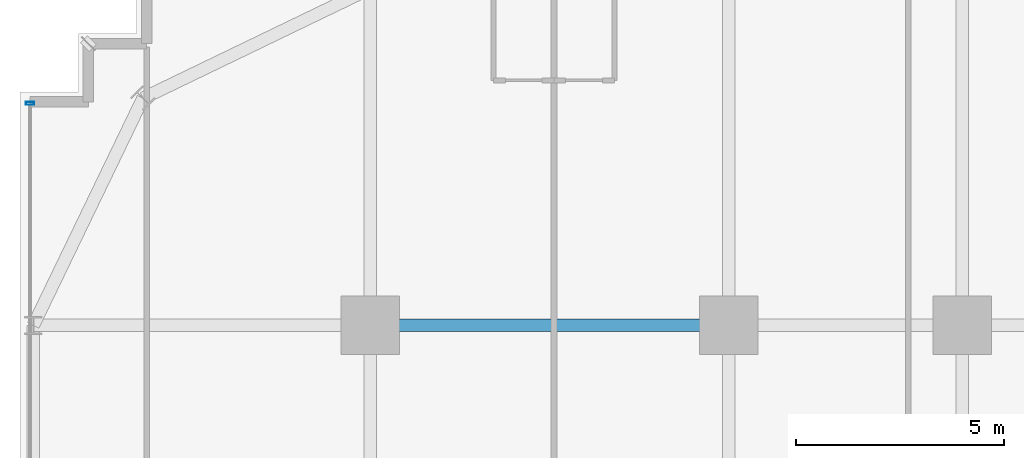
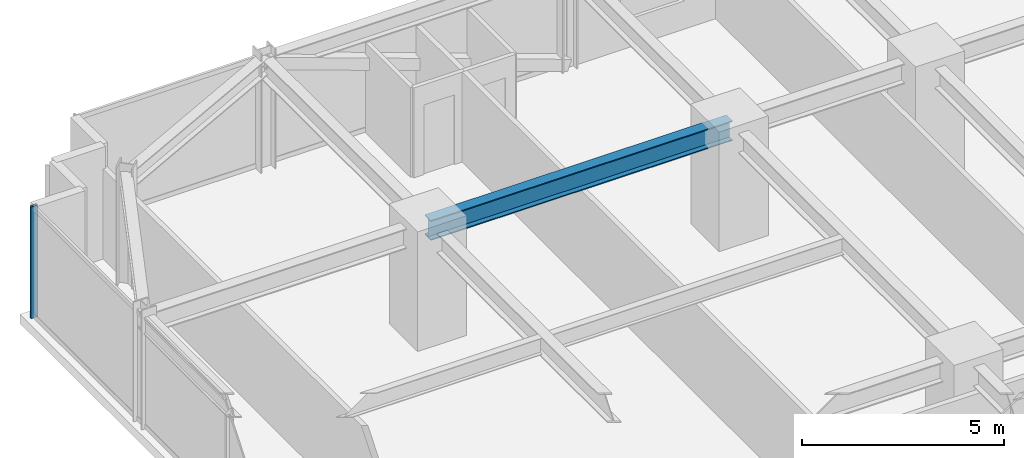
# One storey, part 26 of 47: 1 beam, 1 member, 1 element without a shape of its own.
"""IFC4 building model written with IfcOpenShell, lengths in metres."""

import ifcopenshell
import ifcopenshell.guid

model = None  # the IFC model being written
_history = None  # IfcOwnerHistory: only IFC2X3 demands one
_inside = {}  # id of a spatial element -> (the spatial element, [elements in it])
_under = {}  # id of a project, library or spatial element -> (it, [spatial elements below it])
_declared = {}  # id of a project -> (the project, [libraries it declares])
_typed = {}  # id of a type object -> (the type object, [elements of that type])
_made_of = {}  # id of a material, layer set ... -> (it, [elements and type objects made of it])


def new_model(schema):
    """Start an empty IFC model of exactly this schema.

    Asked for "IFC4X3", IfcOpenShell would pick the latest addendum, in which some entities
    have other attributes; the version numbers below select the first issue.
    IFC2X3 requires an IfcOwnerHistory on every rooted entity: one is made here for all.
    """
    global model, _history
    if schema == "IFC4X3":
        model = ifcopenshell.file(schema_version=(4, 3, 0, 0))
    else:
        model = ifcopenshell.file(schema=schema)
    _inside.clear()
    _under.clear()
    _declared.clear()
    _typed.clear()
    _made_of.clear()
    _history = None
    if model.schema == "IFC2X3":
        org = make("IfcOrganization", Name="unknown")
        user = make(
            "IfcPersonAndOrganization",
            ThePerson=make("IfcPerson", FamilyName="unknown"),
            TheOrganization=org,
        )
        app = make(
            "IfcApplication",
            ApplicationDeveloper=org,
            Version="unknown",
            ApplicationFullName="unknown",
            ApplicationIdentifier="unknown",
        )
        _history = make(
            "IfcOwnerHistory",
            OwningUser=user,
            OwningApplication=app,
            ChangeAction="ADDED",
            CreationDate=0,
        )
    return model


def make(cls, **values):
    """One entity of the class cls with the attributes given. An attribute that is None is left unset."""
    return model.create_entity(
        cls, **{name: value for name, value in values.items() if value is not None}
    )


def rooted(cls, **values):
    """An entity with a GlobalId (a new one), such as an element, a storey or a relation."""
    return make(cls, GlobalId=ifcopenshell.guid.new(), OwnerHistory=_history, **values)


def si_unit(unit_type, name, prefix=None):
    """IfcSIUnit, for example si_unit("LENGTHUNIT", "METRE", prefix="MILLI")."""
    return make("IfcSIUnit", UnitType=unit_type, Prefix=prefix, Name=name)


def assignment(units):
    """IfcUnitAssignment: the units of a project."""
    return None if units is None else make("IfcUnitAssignment", Units=units)


def point(xyz):
    """IfcCartesianPoint."""
    return None if xyz is None else make("IfcCartesianPoint", Coordinates=xyz)


def direction(xyz):
    """IfcDirection."""
    return None if xyz is None else make("IfcDirection", DirectionRatios=xyz)


def frame(location, z_axis=None, x_axis=None):
    """IfcAxis2Placement3D, a coordinate frame: its origin and axes. An axis left out is left unset."""
    return make(
        "IfcAxis2Placement3D",
        Location=point(location),
        Axis=direction(z_axis),
        RefDirection=direction(x_axis),
    )


def frame_2d(location, x_axis=None):
    """IfcAxis2Placement2D, a coordinate frame in the plane: its origin and x axis."""
    return make(
        "IfcAxis2Placement2D", Location=point(location), RefDirection=direction(x_axis)
    )


def origin():
    """The frame at (0, 0, 0) with its axes left unset."""
    return frame((0.0, 0.0, 0.0))


def origin_2d():
    """The frame at (0, 0) in the plane with its x axis left unset."""
    return frame_2d((0.0, 0.0))


def place(relative_to, where):
    """IfcLocalPlacement: puts the frame where relative to a parent placement (None: the world)."""
    return make(
        "IfcLocalPlacement", PlacementRelTo=relative_to, RelativePlacement=where
    )


def context(
    kind, dimensions, precision=None, world=None, true_north=None, identifier=None
):
    """IfcGeometricRepresentationContext, for example the 3D "Model" context."""
    return make(
        "IfcGeometricRepresentationContext",
        ContextIdentifier=identifier,
        ContextType=kind,
        CoordinateSpaceDimension=dimensions,
        Precision=precision,
        WorldCoordinateSystem=world,
        TrueNorth=true_north,
    )


def subcontext(parent, identifier, kind, view, scale=None):
    """IfcGeometricRepresentationSubContext, for example "Body" below "Model"."""
    return make(
        "IfcGeometricRepresentationSubContext",
        ContextIdentifier=identifier,
        ContextType=kind,
        ParentContext=parent,
        TargetScale=scale,
        TargetView=view,
    )


def project(units=None, contexts=None):
    """IfcProject with its units and contexts."""
    return rooted(
        "IfcProject",
        Name="project",
        RepresentationContexts=contexts,
        UnitsInContext=assignment(units),
    )


def spatial(cls, under=None, at=None, **own):
    """A site, building, storey or space (cls), placed at a placement, below another one or the project."""
    s = rooted(cls, ObjectPlacement=at, **own)
    if under is not None:
        _under.setdefault(under.id(), (under, []))[1].append(s)
    return s


def profile(cls, at=None, kind="AREA", **sizes):
    """A parametric profile (cls). Its sizes go by their IFC names, for example OverallWidth=200.0."""
    return make(cls, ProfileType=kind, Position=at, **sizes)


def hollow_rectangle(**sizes):
    """IfcRectangleHollowProfileDef."""
    return profile("IfcRectangleHollowProfileDef", **sizes)


def i_section(**sizes):
    """IfcIShapeProfileDef."""
    return profile("IfcIShapeProfileDef", **sizes)


def extrude(swept, where, along, depth):
    """IfcExtrudedAreaSolid: the profile swept, set in the frame where, extruded along a direction by depth."""
    return make(
        "IfcExtrudedAreaSolid",
        SweptArea=swept,
        Position=where,
        ExtrudedDirection=direction(along),
        Depth=depth,
    )


def shape(context_of_items, identifier, shape_type, items):
    """IfcShapeRepresentation: the items that make up one representation, for example the "Body"."""
    return make(
        "IfcShapeRepresentation",
        ContextOfItems=context_of_items,
        RepresentationIdentifier=identifier,
        RepresentationType=shape_type,
        Items=items,
    )


def source(mapping_origin, context_of_items, identifier, shape_type, items):
    """IfcRepresentationMap: a shape defined once, which mapped items show again and again."""
    return make(
        "IfcRepresentationMap",
        MappingOrigin=mapping_origin,
        MappedRepresentation=shape(context_of_items, identifier, shape_type, items),
    )


def transform(
    local_origin,
    x_axis=None,
    y_axis=None,
    z_axis=None,
    scale=None,
    scale2=None,
    scale3=None,
    uniform=True,
):
    """IfcCartesianTransformationOperator3D, or its non-uniform kind. x_axis, y_axis, z_axis: its Axis1, 2, 3."""
    if uniform:
        return make(
            "IfcCartesianTransformationOperator3D",
            Axis1=direction(x_axis),
            Axis2=direction(y_axis),
            LocalOrigin=point(local_origin),
            Scale=scale,
            Axis3=direction(z_axis),
        )
    return make(
        "IfcCartesianTransformationOperator3DnonUniform",
        Axis1=direction(x_axis),
        Axis2=direction(y_axis),
        LocalOrigin=point(local_origin),
        Scale=scale,
        Axis3=direction(z_axis),
        Scale2=scale2,
        Scale3=scale3,
    )


def mapped(mapping_source, mapping_target):
    """IfcMappedItem: shows the shape of a source again, moved by a transform."""
    return make(
        "IfcMappedItem", MappingSource=mapping_source, MappingTarget=mapping_target
    )


def material(Name=None, Category=None):
    """IfcMaterial."""
    return make("IfcMaterial", Name=Name, Category=Category)


def material_profile(
    of_material, cross_section, Name=None, Category=None, Priority=None
):
    """IfcMaterialProfile: a cross section and its material."""
    return make(
        "IfcMaterialProfile",
        Name=Name,
        Material=of_material,
        Profile=cross_section,
        Priority=Priority,
        Category=Category,
    )


def profile_set(profiles, Name=None, composite=None):
    """IfcMaterialProfileSet."""
    return make(
        "IfcMaterialProfileSet",
        Name=Name,
        MaterialProfiles=profiles,
        CompositeProfile=composite,
    )


def made_of(thing, what):
    """Note that an element or type object is made of a material, layer set ...; save() writes the relation."""
    if what is not None:
        _made_of.setdefault(what.id(), (what, []))[1].append(thing)
    return thing


def type_object(cls, material=None, **own):
    """A type object (cls), such as IfcWallType, which elements share."""
    return made_of(rooted(cls, **own), material)


def element(
    cls,
    number,
    at=None,
    inside=None,
    cuts=None,
    type_object=None,
    material=None,
    context=None,
    identifier="Body",
    shape_type=None,
    held_by="IfcProductDefinitionShape",
    body=None,
    shapes=None,
    **own,
):
    """One element of the class cls, such as IfcWall. Its Tag is "e" and its number.

    at: its placement. inside: the storey or other place that contains it. cuts: it is an
    opening in that element (IfcRelVoidsElement). A single representation is given by context,
    identifier, shape_type and body (its items); several are given by shapes. held_by: the class
    of the entity that holds the representations. save() writes the other relations.
    """
    e = rooted(cls, Tag="e%d" % number, ObjectPlacement=at, **own)
    if body is not None:
        shapes = [shape(context, identifier, shape_type, body)]
    if shapes is not None:
        e.Representation = make(held_by, Representations=shapes)
    if inside is not None:
        _inside.setdefault(inside.id(), (inside, []))[1].append(e)
    if cuts is not None:
        rooted(
            "IfcRelVoidsElement", RelatingBuildingElement=cuts, RelatedOpeningElement=e
        )
    if type_object is not None:
        _typed.setdefault(type_object.id(), (type_object, []))[1].append(e)
    return made_of(e, material)


def aggregate(whole, parts):
    """IfcRelAggregates: a whole, such as a stair, and the parts it consists of."""
    return rooted("IfcRelAggregates", RelatingObject=whole, RelatedObjects=parts)


def save(model, path):
    """Write the relations noted so far, then the file.

    IfcRelAggregates (storeys below a building ...), IfcRelContainedInSpatialStructure (elements
    in a storey), IfcRelDefinesByType, IfcRelAssociatesMaterial and IfcRelDeclares: one each for
    every whole, place, type object, material and project.
    """
    for whole, parts in _under.values():
        aggregate(whole, parts)
    for where, things in _inside.values():
        rooted(
            "IfcRelContainedInSpatialStructure",
            RelatedElements=things,
            RelatingStructure=where,
        )
    for kind, things in _typed.values():
        rooted("IfcRelDefinesByType", RelatedObjects=things, RelatingType=kind)
    for what, things in _made_of.values():
        rooted("IfcRelAssociatesMaterial", RelatedObjects=things, RelatingMaterial=what)
    for by, libraries in _declared.values():
        rooted("IfcRelDeclares", RelatingContext=by, RelatedDefinitions=libraries)
    model.write(path)


model = new_model("IFC4")

# Units and contexts
model_context = context("Model", 3, precision=1e-05, world=origin(), true_north=direction((0.0, 1.0)))
body_context = subcontext(model_context, "Body", "Model", "MODEL_VIEW")
ifc_project = project(units=[si_unit("LENGTHUNIT", "METRE"), si_unit("AREAUNIT", "SQUARE_METRE"), si_unit("VOLUMEUNIT", "CUBIC_METRE"), si_unit("PLANEANGLEUNIT", "RADIAN"), si_unit("MASSUNIT", "GRAM", prefix="KILO")], contexts=[model_context])

# Site, building, storey
site_placement = place(None, origin())
site = spatial("IfcSite", under=ifc_project, at=site_placement, CompositionType="ELEMENT")
building_placement = place(site_placement, origin())
building = spatial("IfcBuilding", under=site, at=building_placement, Name="Nahalor Promenade Grand Hotel", CompositionType="ELEMENT")
storey_placement = place(building_placement, frame((0.0, 0.0, 68.89990234375)))
storey = spatial("IfcBuildingStorey", under=building, at=storey_placement, Name="L16", CompositionType="ELEMENT", Elevation=68.89990234375)

# Beam
ifc_material_1 = material(Name="Steel S355JR", Category="steel")
ifc_material_profile_1 = material_profile(ifc_material_1, i_section(OverallWidth=0.3, OverallDepth=0.6, WebThickness=0.0155, FlangeThickness=0.03, at=origin_2d()), Name="HEB 600")
ifc_profile_set_1 = profile_set([ifc_material_profile_1], Name="Steel S355JR")
beam_type = type_object("IfcBeamType", Name="Beam-Girder-HEB600", PredefinedType="BEAM", material=ifc_profile_set_1)
shared_shape_1 = source(origin(), body_context, "Body", "SweptSolid", [
    extrude(i_section(OverallWidth=0.3, OverallDepth=0.6, WebThickness=0.0155, FlangeThickness=0.03, at=origin_2d()), origin(), (0.0, 0.0, 1.0), 8.60009765625),
])
beam_placement = place(storey_placement, frame((-17.0, 17.0, 3.070068359375), z_axis=(1.0, 0.0, 0.0), x_axis=(0.0, 1.0, 0.0)))
element("IfcBeam", 1, at=beam_placement, inside=storey, type_object=beam_type, Name="BM-L16-GX-3-1", PredefinedType="BEAM", context=body_context, shape_type="MappedRepresentation", body=[
    mapped(shared_shape_1, transform((0.0, 0.0, 0.0), scale=1.0)),
])

# Curtain wall, member
ifc_material_2 = material(Name="Anodised Bronze Aluminium EN AW-6063 T6", Category="aluminium")
curtain_wall_type = type_object("IfcCurtainWallType", Name="CW3 Elliptical-Void Collar Unitised Curtain Wall", PredefinedType="USERDEFINED", material=ifc_material_2)
curtain_wall_placement = place(storey_placement, origin())
curtain_wall = element("IfcCurtainWall", 2, at=curtain_wall_placement, inside=storey, type_object=curtain_wall_type, Name="L16 Curtain Wall CW-L16-W-2", ObjectType="UNITISED_CURTAIN_WALL", PredefinedType="USERDEFINED")
ifc_material_profile_2 = material_profile(ifc_material_2, hollow_rectangle(XDim=0.07, YDim=0.2, WallThickness=0.005, at=origin_2d()), Name="CWM 70x200x5")
ifc_profile_set_2 = profile_set([ifc_material_profile_2], Name="Anodised Bronze Aluminium EN AW-6063 T6")
member_type = type_object("IfcMemberType", Name="CWM3 Void Collar Mullion 70x200", PredefinedType="MULLION", material=ifc_profile_set_2)
shared_shape_2 = source(origin(), body_context, "Body", "SweptSolid", [
    extrude(hollow_rectangle(XDim=0.07, YDim=0.2, WallThickness=0.005, at=origin_2d()), origin(), (0.0, 0.0, 1.0), 3.3701171875),
])
member_placement = place(storey_placement, frame((-25.159912109375, 22.324951171875, 0.0), z_axis=(0.0, 0.0, 1.0), x_axis=(0.0, 1.0, 0.0)))
member = element("IfcMember", 3, at=member_placement, type_object=member_type, Name="CW-L16-W-2 Mullion 2", PredefinedType="MULLION", context=body_context, shape_type="MappedRepresentation", body=[
    mapped(shared_shape_2, transform((0.0, 0.0, 0.0), scale=1.0)),
])
aggregate(curtain_wall, [member])

save(model, "model.ifc")
